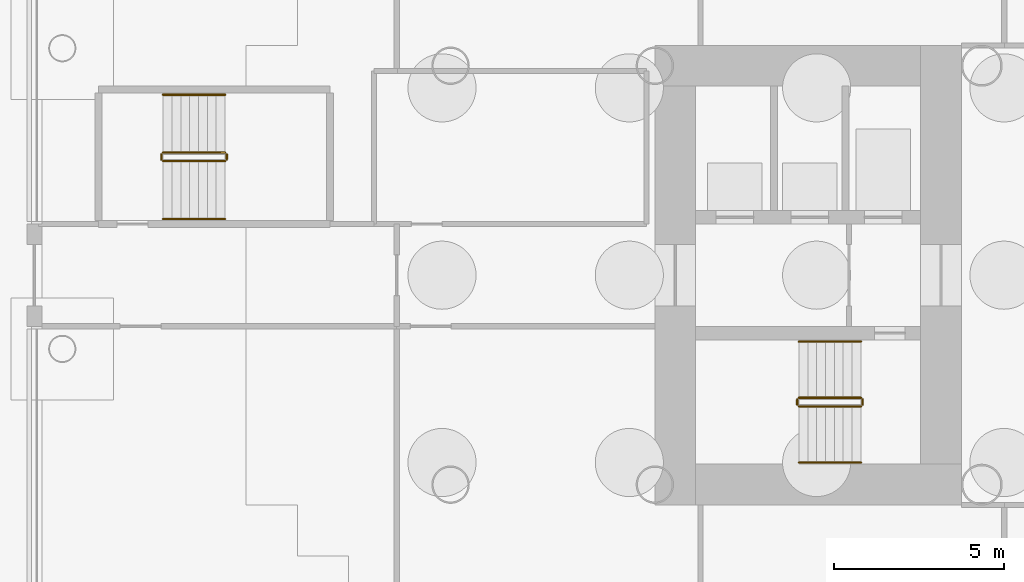
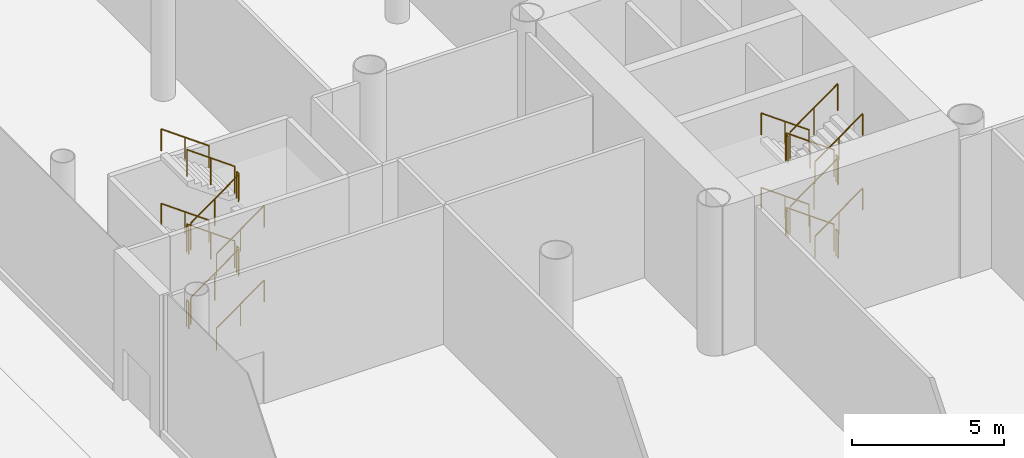
# One storey, part 65 of 75: 24 railings.
"""IFC4 building model written with IfcOpenShell, lengths in metres."""

import ifcopenshell
import ifcopenshell.guid

model = None  # the IFC model being written
_history = None  # IfcOwnerHistory: only IFC2X3 demands one
_inside = {}  # id of a spatial element -> (the spatial element, [elements in it])
_under = {}  # id of a project, library or spatial element -> (it, [spatial elements below it])
_declared = {}  # id of a project -> (the project, [libraries it declares])
_typed = {}  # id of a type object -> (the type object, [elements of that type])
_made_of = {}  # id of a material, layer set ... -> (it, [elements and type objects made of it])


def new_model(schema):
    """Start an empty IFC model of exactly this schema.

    Asked for "IFC4X3", IfcOpenShell would pick the latest addendum, in which some entities
    have other attributes; the version numbers below select the first issue.
    IFC2X3 requires an IfcOwnerHistory on every rooted entity: one is made here for all.
    """
    global model, _history
    if schema == "IFC4X3":
        model = ifcopenshell.file(schema_version=(4, 3, 0, 0))
    else:
        model = ifcopenshell.file(schema=schema)
    _inside.clear()
    _under.clear()
    _declared.clear()
    _typed.clear()
    _made_of.clear()
    _history = None
    if model.schema == "IFC2X3":
        org = make("IfcOrganization", Name="unknown")
        user = make(
            "IfcPersonAndOrganization",
            ThePerson=make("IfcPerson", FamilyName="unknown"),
            TheOrganization=org,
        )
        app = make(
            "IfcApplication",
            ApplicationDeveloper=org,
            Version="unknown",
            ApplicationFullName="unknown",
            ApplicationIdentifier="unknown",
        )
        _history = make(
            "IfcOwnerHistory",
            OwningUser=user,
            OwningApplication=app,
            ChangeAction="ADDED",
            CreationDate=0,
        )
    return model


def make(cls, **values):
    """One entity of the class cls with the attributes given. An attribute that is None is left unset."""
    return model.create_entity(
        cls, **{name: value for name, value in values.items() if value is not None}
    )


def rooted(cls, **values):
    """An entity with a GlobalId (a new one), such as an element, a storey or a relation."""
    return make(cls, GlobalId=ifcopenshell.guid.new(), OwnerHistory=_history, **values)


def si_unit(unit_type, name, prefix=None):
    """IfcSIUnit, for example si_unit("LENGTHUNIT", "METRE", prefix="MILLI")."""
    return make("IfcSIUnit", UnitType=unit_type, Prefix=prefix, Name=name)


def assignment(units):
    """IfcUnitAssignment: the units of a project."""
    return None if units is None else make("IfcUnitAssignment", Units=units)


def point(xyz):
    """IfcCartesianPoint."""
    return None if xyz is None else make("IfcCartesianPoint", Coordinates=xyz)


def direction(xyz):
    """IfcDirection."""
    return None if xyz is None else make("IfcDirection", DirectionRatios=xyz)


def frame(location, z_axis=None, x_axis=None):
    """IfcAxis2Placement3D, a coordinate frame: its origin and axes. An axis left out is left unset."""
    return make(
        "IfcAxis2Placement3D",
        Location=point(location),
        Axis=direction(z_axis),
        RefDirection=direction(x_axis),
    )


def frame_2d(location, x_axis=None):
    """IfcAxis2Placement2D, a coordinate frame in the plane: its origin and x axis."""
    return make(
        "IfcAxis2Placement2D", Location=point(location), RefDirection=direction(x_axis)
    )


def origin():
    """The frame at (0, 0, 0) with its axes left unset."""
    return frame((0.0, 0.0, 0.0))


def origin_2d():
    """The frame at (0, 0) in the plane with its x axis left unset."""
    return frame_2d((0.0, 0.0))


def place(relative_to, where):
    """IfcLocalPlacement: puts the frame where relative to a parent placement (None: the world)."""
    return make(
        "IfcLocalPlacement", PlacementRelTo=relative_to, RelativePlacement=where
    )


def context(
    kind, dimensions, precision=None, world=None, true_north=None, identifier=None
):
    """IfcGeometricRepresentationContext, for example the 3D "Model" context."""
    return make(
        "IfcGeometricRepresentationContext",
        ContextIdentifier=identifier,
        ContextType=kind,
        CoordinateSpaceDimension=dimensions,
        Precision=precision,
        WorldCoordinateSystem=world,
        TrueNorth=true_north,
    )


def subcontext(parent, identifier, kind, view, scale=None):
    """IfcGeometricRepresentationSubContext, for example "Body" below "Model"."""
    return make(
        "IfcGeometricRepresentationSubContext",
        ContextIdentifier=identifier,
        ContextType=kind,
        ParentContext=parent,
        TargetScale=scale,
        TargetView=view,
    )


def project(units=None, contexts=None):
    """IfcProject with its units and contexts."""
    return rooted(
        "IfcProject",
        Name="project",
        RepresentationContexts=contexts,
        UnitsInContext=assignment(units),
    )


def spatial(cls, under=None, at=None, **own):
    """A site, building, storey or space (cls), placed at a placement, below another one or the project."""
    s = rooted(cls, ObjectPlacement=at, **own)
    if under is not None:
        _under.setdefault(under.id(), (under, []))[1].append(s)
    return s


def profile(cls, at=None, kind="AREA", **sizes):
    """A parametric profile (cls). Its sizes go by their IFC names, for example OverallWidth=200.0."""
    return make(cls, ProfileType=kind, Position=at, **sizes)


def circle(**sizes):
    """IfcCircleProfileDef."""
    return profile("IfcCircleProfileDef", **sizes)


def extrude(swept, where, along, depth):
    """IfcExtrudedAreaSolid: the profile swept, set in the frame where, extruded along a direction by depth."""
    return make(
        "IfcExtrudedAreaSolid",
        SweptArea=swept,
        Position=where,
        ExtrudedDirection=direction(along),
        Depth=depth,
    )


def shape(context_of_items, identifier, shape_type, items):
    """IfcShapeRepresentation: the items that make up one representation, for example the "Body"."""
    return make(
        "IfcShapeRepresentation",
        ContextOfItems=context_of_items,
        RepresentationIdentifier=identifier,
        RepresentationType=shape_type,
        Items=items,
    )


def material(Name=None, Category=None):
    """IfcMaterial."""
    return make("IfcMaterial", Name=Name, Category=Category)


def made_of(thing, what):
    """Note that an element or type object is made of a material, layer set ...; save() writes the relation."""
    if what is not None:
        _made_of.setdefault(what.id(), (what, []))[1].append(thing)
    return thing


def type_object(cls, material=None, **own):
    """A type object (cls), such as IfcWallType, which elements share."""
    return made_of(rooted(cls, **own), material)


def element(
    cls,
    number,
    at=None,
    inside=None,
    cuts=None,
    type_object=None,
    material=None,
    context=None,
    identifier="Body",
    shape_type=None,
    held_by="IfcProductDefinitionShape",
    body=None,
    shapes=None,
    **own,
):
    """One element of the class cls, such as IfcWall. Its Tag is "e" and its number.

    at: its placement. inside: the storey or other place that contains it. cuts: it is an
    opening in that element (IfcRelVoidsElement). A single representation is given by context,
    identifier, shape_type and body (its items); several are given by shapes. held_by: the class
    of the entity that holds the representations. save() writes the other relations.
    """
    e = rooted(cls, Tag="e%d" % number, ObjectPlacement=at, **own)
    if body is not None:
        shapes = [shape(context, identifier, shape_type, body)]
    if shapes is not None:
        e.Representation = make(held_by, Representations=shapes)
    if inside is not None:
        _inside.setdefault(inside.id(), (inside, []))[1].append(e)
    if cuts is not None:
        rooted(
            "IfcRelVoidsElement", RelatingBuildingElement=cuts, RelatedOpeningElement=e
        )
    if type_object is not None:
        _typed.setdefault(type_object.id(), (type_object, []))[1].append(e)
    return made_of(e, material)


def aggregate(whole, parts):
    """IfcRelAggregates: a whole, such as a stair, and the parts it consists of."""
    return rooted("IfcRelAggregates", RelatingObject=whole, RelatedObjects=parts)


def save(model, path):
    """Write the relations noted so far, then the file.

    IfcRelAggregates (storeys below a building ...), IfcRelContainedInSpatialStructure (elements
    in a storey), IfcRelDefinesByType, IfcRelAssociatesMaterial and IfcRelDeclares: one each for
    every whole, place, type object, material and project.
    """
    for whole, parts in _under.values():
        aggregate(whole, parts)
    for where, things in _inside.values():
        rooted(
            "IfcRelContainedInSpatialStructure",
            RelatedElements=things,
            RelatingStructure=where,
        )
    for kind, things in _typed.values():
        rooted("IfcRelDefinesByType", RelatedObjects=things, RelatingType=kind)
    for what, things in _made_of.values():
        rooted("IfcRelAssociatesMaterial", RelatedObjects=things, RelatingMaterial=what)
    for by, libraries in _declared.values():
        rooted("IfcRelDeclares", RelatingContext=by, RelatedDefinitions=libraries)
    model.write(path)


model = new_model("IFC4")

# Units and contexts
model_context = context("Model", 3, precision=1e-05, world=origin(), true_north=direction((0.0, 1.0)))
body_context = subcontext(model_context, "Body", "Model", "MODEL_VIEW")
ifc_project = project(units=[si_unit("LENGTHUNIT", "METRE"), si_unit("AREAUNIT", "SQUARE_METRE"), si_unit("VOLUMEUNIT", "CUBIC_METRE"), si_unit("PLANEANGLEUNIT", "RADIAN"), si_unit("MASSUNIT", "GRAM", prefix="KILO")], contexts=[model_context])

# Site, building, storey
site_placement = place(None, origin())
site = spatial("IfcSite", under=ifc_project, at=site_placement, CompositionType="ELEMENT")
building_placement = place(site_placement, origin())
building = spatial("IfcBuilding", under=site, at=building_placement, Name="Ipe Terrace Towers", CompositionType="ELEMENT")
storey_placement = place(building_placement, origin())
storey = spatial("IfcBuildingStorey", under=building, at=storey_placement, Name="L00", CompositionType="ELEMENT", Elevation=0.0)

# Railings
ifc_material_1 = material(Name="Steel S355", Category="steel")
railing_type_1 = type_object("IfcRailingType", Name="Stair guard 1100", PredefinedType="GUARDRAIL", material=ifc_material_1)
railing_1_placement = place(storey_placement, frame((-45.699951171875, -3.60009765625, 0.1875)))
element("IfcRailing", 1, at=railing_1_placement, inside=storey, type_object=railing_type_1, Name="L00 T1-ST2 stair guard 1", PredefinedType="GUARDRAIL", context=body_context, shape_type="SweptSolid", body=[
    extrude(circle(Radius=0.02392578125, at=origin_2d()), frame((0.0, 0.0, 1.076171875), z_axis=(-0.811100754333, 0.0, 0.584906459462), x_axis=(0.0, -1.0, 0.0)), (0.0, 0.0, 1.0), 2.243896484375),
    extrude(circle(Radius=0.02099609375, at=origin_2d()), origin(), (0.0, 0.0, 1.0), 1.052001953125),
    extrude(circle(Radius=0.02099609375, at=origin_2d()), frame((-0.91015625, 0.0, 0.65625)), (0.0, 0.0, 1.0), 1.052001953125),
    extrude(circle(Radius=0.02099609375, at=origin_2d()), frame((-1.820068359375, 0.0, 1.3125)), (0.0, 0.0, 1.0), 1.052001953125),
])
railing_2_placement = place(storey_placement, frame((-47.570068359375, -3.64990234375, 1.5)))
element("IfcRailing", 2, at=railing_2_placement, inside=storey, type_object=railing_type_1, Name="L00 T1-ST2 stair guard 2", PredefinedType="GUARDRAIL", context=body_context, shape_type="SweptSolid", body=[
    extrude(circle(Radius=0.02392578125, at=origin_2d()), frame((0.0, 0.0, 1.076171875), z_axis=(0.0, -1.0, 0.0), x_axis=(1.0, 0.0, 0.0)), (0.0, 0.0, 1.0), 0.150146484375),
    extrude(circle(Radius=0.02099609375, at=origin_2d()), origin(), (0.0, 0.0, 1.0), 1.052001953125),
    extrude(circle(Radius=0.02099609375, at=origin_2d()), frame((0.0, -0.150146484375, 0.0)), (0.0, 0.0, 1.0), 1.052001953125),
])
railing_3_placement = place(storey_placement, frame((-47.52001953125, -3.85009765625, 1.6875)))
element("IfcRailing", 3, at=railing_3_placement, inside=storey, type_object=railing_type_1, Name="L00 T1-ST2 stair guard 3", PredefinedType="GUARDRAIL", context=body_context, shape_type="SweptSolid", body=[
    extrude(circle(Radius=0.02392578125, at=origin_2d()), frame((0.0, 0.0, 1.076171875), z_axis=(0.811100754333, 0.0, 0.584906459462), x_axis=(0.0, 1.0, 0.0)), (0.0, 0.0, 1.0), 2.243896484375),
    extrude(circle(Radius=0.02099609375, at=origin_2d()), origin(), (0.0, 0.0, 1.0), 1.052001953125),
    extrude(circle(Radius=0.02099609375, at=origin_2d()), frame((0.91015625, 0.0, 0.65625)), (0.0, 0.0, 1.0), 1.052001953125),
    extrude(circle(Radius=0.02099609375, at=origin_2d()), frame((1.820068359375, 0.0, 1.3125)), (0.0, 0.0, 1.0), 1.052001953125),
])
railing_4_placement = place(storey_placement, frame((-45.64990234375, -3.64990234375, 3.0)))
element("IfcRailing", 4, at=railing_4_placement, inside=storey, type_object=railing_type_1, Name="L00 T1-ST2 stair guard 4", PredefinedType="GUARDRAIL", context=body_context, shape_type="SweptSolid", body=[
    extrude(circle(Radius=0.02392578125, at=origin_2d()), frame((0.0, 0.0, 1.076171875), z_axis=(0.0, -1.0, 0.0), x_axis=(1.0, 0.0, 0.0)), (0.0, 0.0, 1.0), 0.150146484375),
    extrude(circle(Radius=0.02099609375, at=origin_2d()), origin(), (0.0, 0.0, 1.0), 1.052001953125),
    extrude(circle(Radius=0.02099609375, at=origin_2d()), frame((0.0, -0.150146484375, 0.0)), (0.0, 0.0, 1.0), 1.052001953125),
])
railing_5_placement = place(storey_placement, frame((-45.699951171875, -3.60009765625, 3.1875)))
element("IfcRailing", 5, at=railing_5_placement, inside=storey, type_object=railing_type_1, Name="L00 T1-ST2 stair guard 5", PredefinedType="GUARDRAIL", context=body_context, shape_type="SweptSolid", body=[
    extrude(circle(Radius=0.02392578125, at=origin_2d()), frame((0.0, 0.0, 1.076171875), z_axis=(-0.811100754333, 0.0, 0.584906459462), x_axis=(0.0, -1.0, 0.0)), (0.0, 0.0, 1.0), 2.243896484375),
    extrude(circle(Radius=0.02099609375, at=origin_2d()), origin(), (0.0, 0.0, 1.0), 1.052001953125),
    extrude(circle(Radius=0.02099609375, at=origin_2d()), frame((-0.91015625, 0.0, 0.65625)), (0.0, 0.0, 1.0), 1.052001953125),
    extrude(circle(Radius=0.02099609375, at=origin_2d()), frame((-1.820068359375, 0.0, 1.3125)), (0.0, 0.0, 1.0), 1.052001953125),
])
railing_6_placement = place(storey_placement, frame((-47.570068359375, -3.64990234375, 4.5)))
element("IfcRailing", 6, at=railing_6_placement, inside=storey, type_object=railing_type_1, Name="L00 T1-ST2 stair guard 6", PredefinedType="GUARDRAIL", context=body_context, shape_type="SweptSolid", body=[
    extrude(circle(Radius=0.02392578125, at=origin_2d()), frame((0.0, 0.0, 1.076171875), z_axis=(0.0, -1.0, 0.0), x_axis=(1.0, 0.0, 0.0)), (0.0, 0.0, 1.0), 0.150146484375),
    extrude(circle(Radius=0.02099609375, at=origin_2d()), origin(), (0.0, 0.0, 1.0), 1.052001953125),
    extrude(circle(Radius=0.02099609375, at=origin_2d()), frame((0.0, -0.150146484375, 0.0)), (0.0, 0.0, 1.0), 1.052001953125),
])
railing_7_placement = place(storey_placement, frame((-47.52001953125, -3.85009765625, 4.6875)))
element("IfcRailing", 7, at=railing_7_placement, inside=storey, type_object=railing_type_1, Name="L00 T1-ST2 stair guard 7", PredefinedType="GUARDRAIL", context=body_context, shape_type="SweptSolid", body=[
    extrude(circle(Radius=0.02392578125, at=origin_2d()), frame((0.0, 0.0, 1.076171875), z_axis=(0.811100754333, 0.0, 0.584906459462), x_axis=(0.0, 1.0, 0.0)), (0.0, 0.0, 1.0), 2.243896484375),
    extrude(circle(Radius=0.02099609375, at=origin_2d()), origin(), (0.0, 0.0, 1.0), 1.052001953125),
    extrude(circle(Radius=0.02099609375, at=origin_2d()), frame((0.91015625, 0.0, 0.65625)), (0.0, 0.0, 1.0), 1.052001953125),
    extrude(circle(Radius=0.02099609375, at=origin_2d()), frame((1.820068359375, 0.0, 1.3125)), (0.0, 0.0, 1.0), 1.052001953125),
])
railing_8_placement = place(storey_placement, frame((-45.64990234375, -3.64990234375, 0.0)))
element("IfcRailing", 8, at=railing_8_placement, inside=storey, type_object=railing_type_1, Name="L00 T1-ST2 stair guard 8", PredefinedType="GUARDRAIL", context=body_context, shape_type="SweptSolid", body=[
    extrude(circle(Radius=0.02392578125, at=origin_2d()), frame((0.0, 0.0, 1.076171875), z_axis=(0.0, -1.0, 0.0), x_axis=(1.0, 0.0, 0.0)), (0.0, 0.0, 1.0), 0.150146484375),
    extrude(circle(Radius=0.02099609375, at=origin_2d()), origin(), (0.0, 0.0, 1.0), 1.052001953125),
    extrude(circle(Radius=0.02099609375, at=origin_2d()), frame((0.0, -0.150146484375, 0.0)), (0.0, 0.0, 1.0), 1.052001953125),
])
railing_9_placement = place(storey_placement, frame((-66.18994140625, 3.35009765625, 0.1875)))
element("IfcRailing", 9, at=railing_9_placement, inside=storey, type_object=railing_type_1, Name="L00 PS7 stair guard 1", PredefinedType="GUARDRAIL", context=body_context, shape_type="SweptSolid", body=[
    extrude(circle(Radius=0.02392578125, at=origin_2d()), frame((0.0, 0.0, 1.076171875), z_axis=(0.81106352738, 0.0, 0.584958079313), x_axis=(0.0, 1.0, 0.0)), (0.0, 0.0, 1.0), 2.24365234375),
    extrude(circle(Radius=0.02099609375, at=origin_2d()), origin(), (0.0, 0.0, 1.0), 1.052001953125),
    extrude(circle(Radius=0.02099609375, at=origin_2d()), frame((0.909912109375, 0.0, 0.65625)), (0.0, 0.0, 1.0), 1.052001953125),
    extrude(circle(Radius=0.02099609375, at=origin_2d()), frame((1.81982421875, 0.0, 1.3125)), (0.0, 0.0, 1.0), 1.052001953125),
])
railing_10_placement = place(storey_placement, frame((-64.320068359375, 3.39990234375, 1.5)))
element("IfcRailing", 10, at=railing_10_placement, inside=storey, type_object=railing_type_1, Name="L00 PS7 stair guard 2", PredefinedType="GUARDRAIL", context=body_context, shape_type="SweptSolid", body=[
    extrude(circle(Radius=0.02392578125, at=origin_2d()), frame((0.0, 0.0, 1.076171875), z_axis=(0.0, 1.0, 0.0), x_axis=(-1.0, 0.0, 0.0)), (0.0, 0.0, 1.0), 0.150146484375),
    extrude(circle(Radius=0.02099609375, at=origin_2d()), origin(), (0.0, 0.0, 1.0), 1.052001953125),
    extrude(circle(Radius=0.02099609375, at=origin_2d()), frame((0.0, 0.150146484375, 0.0)), (0.0, 0.0, 1.0), 1.052001953125),
])
railing_11_placement = place(storey_placement, frame((-64.3701171875, 3.60009765625, 1.6875)))
element("IfcRailing", 11, at=railing_11_placement, inside=storey, type_object=railing_type_1, Name="L00 PS7 stair guard 3", PredefinedType="GUARDRAIL", context=body_context, shape_type="SweptSolid", body=[
    extrude(circle(Radius=0.02392578125, at=origin_2d()), frame((0.0, 0.0, 1.076171875), z_axis=(-0.81106352738, 0.0, 0.584958079313), x_axis=(0.0, -1.0, 0.0)), (0.0, 0.0, 1.0), 2.24365234375),
    extrude(circle(Radius=0.02099609375, at=origin_2d()), origin(), (0.0, 0.0, 1.0), 1.052001953125),
    extrude(circle(Radius=0.02099609375, at=origin_2d()), frame((-0.909912109375, 0.0, 0.65625)), (0.0, 0.0, 1.0), 1.052001953125),
    extrude(circle(Radius=0.02099609375, at=origin_2d()), frame((-1.81982421875, 0.0, 1.3125)), (0.0, 0.0, 1.0), 1.052001953125),
])
railing_12_placement = place(storey_placement, frame((-66.239990234375, 3.39990234375, 3.0)))
element("IfcRailing", 12, at=railing_12_placement, inside=storey, type_object=railing_type_1, Name="L00 PS7 stair guard 4", PredefinedType="GUARDRAIL", context=body_context, shape_type="SweptSolid", body=[
    extrude(circle(Radius=0.02392578125, at=origin_2d()), frame((0.0, 0.0, 1.076171875), z_axis=(0.0, 1.0, 0.0), x_axis=(-1.0, 0.0, 0.0)), (0.0, 0.0, 1.0), 0.150146484375),
    extrude(circle(Radius=0.02099609375, at=origin_2d()), origin(), (0.0, 0.0, 1.0), 1.052001953125),
    extrude(circle(Radius=0.02099609375, at=origin_2d()), frame((0.0, 0.150146484375, 0.0)), (0.0, 0.0, 1.0), 1.052001953125),
])
railing_13_placement = place(storey_placement, frame((-66.18994140625, 3.35009765625, 3.1875)))
element("IfcRailing", 13, at=railing_13_placement, inside=storey, type_object=railing_type_1, Name="L00 PS7 stair guard 5", PredefinedType="GUARDRAIL", context=body_context, shape_type="SweptSolid", body=[
    extrude(circle(Radius=0.02392578125, at=origin_2d()), frame((0.0, 0.0, 1.076171875), z_axis=(0.81106352738, 0.0, 0.584958079313), x_axis=(0.0, 1.0, 0.0)), (0.0, 0.0, 1.0), 2.24365234375),
    extrude(circle(Radius=0.02099609375, at=origin_2d()), origin(), (0.0, 0.0, 1.0), 1.052001953125),
    extrude(circle(Radius=0.02099609375, at=origin_2d()), frame((0.909912109375, 0.0, 0.65625)), (0.0, 0.0, 1.0), 1.052001953125),
    extrude(circle(Radius=0.02099609375, at=origin_2d()), frame((1.81982421875, 0.0, 1.3125)), (0.0, 0.0, 1.0), 1.052001953125),
])
railing_14_placement = place(storey_placement, frame((-64.320068359375, 3.39990234375, 4.5)))
element("IfcRailing", 14, at=railing_14_placement, inside=storey, type_object=railing_type_1, Name="L00 PS7 stair guard 6", PredefinedType="GUARDRAIL", context=body_context, shape_type="SweptSolid", body=[
    extrude(circle(Radius=0.02392578125, at=origin_2d()), frame((0.0, 0.0, 1.076171875), z_axis=(0.0, 1.0, 0.0), x_axis=(-1.0, 0.0, 0.0)), (0.0, 0.0, 1.0), 0.150146484375),
    extrude(circle(Radius=0.02099609375, at=origin_2d()), origin(), (0.0, 0.0, 1.0), 1.052001953125),
    extrude(circle(Radius=0.02099609375, at=origin_2d()), frame((0.0, 0.150146484375, 0.0)), (0.0, 0.0, 1.0), 1.052001953125),
])
railing_15_placement = place(storey_placement, frame((-64.3701171875, 3.60009765625, 4.6875)))
element("IfcRailing", 15, at=railing_15_placement, inside=storey, type_object=railing_type_1, Name="L00 PS7 stair guard 7", PredefinedType="GUARDRAIL", context=body_context, shape_type="SweptSolid", body=[
    extrude(circle(Radius=0.02392578125, at=origin_2d()), frame((0.0, 0.0, 1.076171875), z_axis=(-0.81106352738, 0.0, 0.584958079313), x_axis=(0.0, -1.0, 0.0)), (0.0, 0.0, 1.0), 2.24365234375),
    extrude(circle(Radius=0.02099609375, at=origin_2d()), origin(), (0.0, 0.0, 1.0), 1.052001953125),
    extrude(circle(Radius=0.02099609375, at=origin_2d()), frame((-0.909912109375, 0.0, 0.65625)), (0.0, 0.0, 1.0), 1.052001953125),
    extrude(circle(Radius=0.02099609375, at=origin_2d()), frame((-1.81982421875, 0.0, 1.3125)), (0.0, 0.0, 1.0), 1.052001953125),
])
railing_16_placement = place(storey_placement, frame((-66.239990234375, 3.39990234375, 0.0)))
element("IfcRailing", 16, at=railing_16_placement, inside=storey, type_object=railing_type_1, Name="L00 PS7 stair guard 8", PredefinedType="GUARDRAIL", context=body_context, shape_type="SweptSolid", body=[
    extrude(circle(Radius=0.02392578125, at=origin_2d()), frame((0.0, 0.0, 1.076171875), z_axis=(0.0, 1.0, 0.0), x_axis=(-1.0, 0.0, 0.0)), (0.0, 0.0, 1.0), 0.150146484375),
    extrude(circle(Radius=0.02099609375, at=origin_2d()), origin(), (0.0, 0.0, 1.0), 1.052001953125),
    extrude(circle(Radius=0.02099609375, at=origin_2d()), frame((0.0, 0.150146484375, 0.0)), (0.0, 0.0, 1.0), 1.052001953125),
])
ifc_material_2 = material(Name="Stainless steel grade 304", Category="steel")
railing_type_2 = type_object("IfcRailingType", Name="Stair handrail 900", PredefinedType="HANDRAIL", material=ifc_material_2)
railing_17_placement = place(storey_placement, frame((-45.699951171875, -1.949951171875, 0.1875)))
element("IfcRailing", 17, at=railing_17_placement, inside=storey, type_object=railing_type_2, Name="L00 T1-ST2 stair handrail 1", PredefinedType="HANDRAIL", context=body_context, shape_type="SweptSolid", body=[
    extrude(circle(Radius=0.02392578125, at=origin_2d()), frame((0.0, 0.0, 0.8759765625), z_axis=(-0.811100754333, 0.0, 0.584906459462), x_axis=(0.0, -1.0, 0.0)), (0.0, 0.0, 1.0), 2.243896484375),
    extrude(circle(Radius=0.02099609375, at=origin_2d()), origin(), (0.0, 0.0, 1.0), 0.851806640625),
    extrude(circle(Radius=0.02099609375, at=origin_2d()), frame((-0.91015625, 0.0, 0.65625)), (0.0, 0.0, 1.0), 0.851806640625),
    extrude(circle(Radius=0.02099609375, at=origin_2d()), frame((-1.820068359375, 0.0, 1.3125)), (0.0, 0.0, 1.0), 0.851806640625),
])
railing_18_placement = place(storey_placement, frame((-47.52001953125, -5.5, 1.6875)))
element("IfcRailing", 18, at=railing_18_placement, inside=storey, type_object=railing_type_2, Name="L00 T1-ST2 stair handrail 2", PredefinedType="HANDRAIL", context=body_context, shape_type="SweptSolid", body=[
    extrude(circle(Radius=0.02392578125, at=origin_2d()), frame((0.0, 0.0, 0.8759765625), z_axis=(0.811100754333, 0.0, 0.584906459462), x_axis=(0.0, 1.0, 0.0)), (0.0, 0.0, 1.0), 2.243896484375),
    extrude(circle(Radius=0.02099609375, at=origin_2d()), origin(), (0.0, 0.0, 1.0), 0.851806640625),
    extrude(circle(Radius=0.02099609375, at=origin_2d()), frame((0.91015625, 0.0, 0.65625)), (0.0, 0.0, 1.0), 0.851806640625),
    extrude(circle(Radius=0.02099609375, at=origin_2d()), frame((1.820068359375, 0.0, 1.3125)), (0.0, 0.0, 1.0), 0.851806640625),
])
railing_19_placement = place(storey_placement, frame((-45.699951171875, -1.949951171875, 3.1875)))
element("IfcRailing", 19, at=railing_19_placement, inside=storey, type_object=railing_type_2, Name="L00 T1-ST2 stair handrail 3", PredefinedType="HANDRAIL", context=body_context, shape_type="SweptSolid", body=[
    extrude(circle(Radius=0.02392578125, at=origin_2d()), frame((0.0, 0.0, 0.8759765625), z_axis=(-0.811100754333, 0.0, 0.584906459462), x_axis=(0.0, -1.0, 0.0)), (0.0, 0.0, 1.0), 2.243896484375),
    extrude(circle(Radius=0.02099609375, at=origin_2d()), origin(), (0.0, 0.0, 1.0), 0.851806640625),
    extrude(circle(Radius=0.02099609375, at=origin_2d()), frame((-0.91015625, 0.0, 0.65625)), (0.0, 0.0, 1.0), 0.851806640625),
    extrude(circle(Radius=0.02099609375, at=origin_2d()), frame((-1.820068359375, 0.0, 1.3125)), (0.0, 0.0, 1.0), 0.851806640625),
])
railing_20_placement = place(storey_placement, frame((-47.52001953125, -5.5, 4.6875)))
element("IfcRailing", 20, at=railing_20_placement, inside=storey, type_object=railing_type_2, Name="L00 T1-ST2 stair handrail 4", PredefinedType="HANDRAIL", context=body_context, shape_type="SweptSolid", body=[
    extrude(circle(Radius=0.02392578125, at=origin_2d()), frame((0.0, 0.0, 0.8759765625), z_axis=(0.811100754333, 0.0, 0.584906459462), x_axis=(0.0, 1.0, 0.0)), (0.0, 0.0, 1.0), 2.243896484375),
    extrude(circle(Radius=0.02099609375, at=origin_2d()), origin(), (0.0, 0.0, 1.0), 0.851806640625),
    extrude(circle(Radius=0.02099609375, at=origin_2d()), frame((0.91015625, 0.0, 0.65625)), (0.0, 0.0, 1.0), 0.851806640625),
    extrude(circle(Radius=0.02099609375, at=origin_2d()), frame((1.820068359375, 0.0, 1.3125)), (0.0, 0.0, 1.0), 0.851806640625),
])
railing_21_placement = place(storey_placement, frame((-66.18994140625, 1.64990234375, 0.1875)))
element("IfcRailing", 21, at=railing_21_placement, inside=storey, type_object=railing_type_2, Name="L00 PS7 stair handrail 1", PredefinedType="HANDRAIL", context=body_context, shape_type="SweptSolid", body=[
    extrude(circle(Radius=0.02392578125, at=origin_2d()), frame((0.0, 0.0, 0.8759765625), z_axis=(0.81106352738, 0.0, 0.584958079313), x_axis=(0.0, 1.0, 0.0)), (0.0, 0.0, 1.0), 2.24365234375),
    extrude(circle(Radius=0.02099609375, at=origin_2d()), origin(), (0.0, 0.0, 1.0), 0.851806640625),
    extrude(circle(Radius=0.02099609375, at=origin_2d()), frame((0.909912109375, 0.0, 0.65625)), (0.0, 0.0, 1.0), 0.851806640625),
    extrude(circle(Radius=0.02099609375, at=origin_2d()), frame((1.81982421875, 0.0, 1.3125)), (0.0, 0.0, 1.0), 0.851806640625),
])
railing_22_placement = place(storey_placement, frame((-64.3701171875, 5.300048828125, 1.6875)))
element("IfcRailing", 22, at=railing_22_placement, inside=storey, type_object=railing_type_2, Name="L00 PS7 stair handrail 2", PredefinedType="HANDRAIL", context=body_context, shape_type="SweptSolid", body=[
    extrude(circle(Radius=0.02392578125, at=origin_2d()), frame((0.0, 0.0, 0.8759765625), z_axis=(-0.81106352738, 0.0, 0.584958079313), x_axis=(0.0, -1.0, 0.0)), (0.0, 0.0, 1.0), 2.24365234375),
    extrude(circle(Radius=0.02099609375, at=origin_2d()), origin(), (0.0, 0.0, 1.0), 0.851806640625),
    extrude(circle(Radius=0.02099609375, at=origin_2d()), frame((-0.909912109375, 0.0, 0.65625)), (0.0, 0.0, 1.0), 0.851806640625),
    extrude(circle(Radius=0.02099609375, at=origin_2d()), frame((-1.81982421875, 0.0, 1.3125)), (0.0, 0.0, 1.0), 0.851806640625),
])
railing_23_placement = place(storey_placement, frame((-66.18994140625, 1.64990234375, 3.1875)))
element("IfcRailing", 23, at=railing_23_placement, inside=storey, type_object=railing_type_2, Name="L00 PS7 stair handrail 3", PredefinedType="HANDRAIL", context=body_context, shape_type="SweptSolid", body=[
    extrude(circle(Radius=0.02392578125, at=origin_2d()), frame((0.0, 0.0, 0.8759765625), z_axis=(0.81106352738, 0.0, 0.584958079313), x_axis=(0.0, 1.0, 0.0)), (0.0, 0.0, 1.0), 2.24365234375),
    extrude(circle(Radius=0.02099609375, at=origin_2d()), origin(), (0.0, 0.0, 1.0), 0.851806640625),
    extrude(circle(Radius=0.02099609375, at=origin_2d()), frame((0.909912109375, 0.0, 0.65625)), (0.0, 0.0, 1.0), 0.851806640625),
    extrude(circle(Radius=0.02099609375, at=origin_2d()), frame((1.81982421875, 0.0, 1.3125)), (0.0, 0.0, 1.0), 0.851806640625),
])
railing_24_placement = place(storey_placement, frame((-64.3701171875, 5.300048828125, 4.6875)))
element("IfcRailing", 24, at=railing_24_placement, inside=storey, type_object=railing_type_2, Name="L00 PS7 stair handrail 4", PredefinedType="HANDRAIL", context=body_context, shape_type="SweptSolid", body=[
    extrude(circle(Radius=0.02392578125, at=origin_2d()), frame((0.0, 0.0, 0.8759765625), z_axis=(-0.81106352738, 0.0, 0.584958079313), x_axis=(0.0, -1.0, 0.0)), (0.0, 0.0, 1.0), 2.24365234375),
    extrude(circle(Radius=0.02099609375, at=origin_2d()), origin(), (0.0, 0.0, 1.0), 0.851806640625),
    extrude(circle(Radius=0.02099609375, at=origin_2d()), frame((-0.909912109375, 0.0, 0.65625)), (0.0, 0.0, 1.0), 0.851806640625),
    extrude(circle(Radius=0.02099609375, at=origin_2d()), frame((-1.81982421875, 0.0, 1.3125)), (0.0, 0.0, 1.0), 0.851806640625),
])

save(model, "model.ifc")
